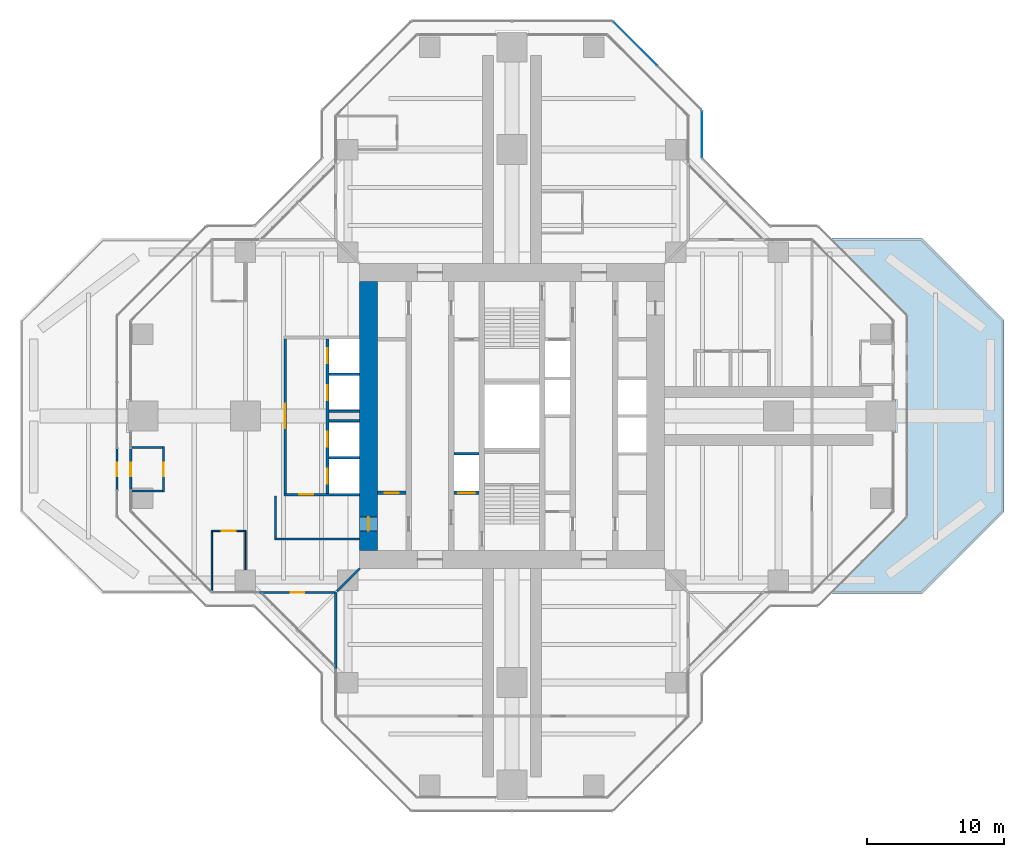
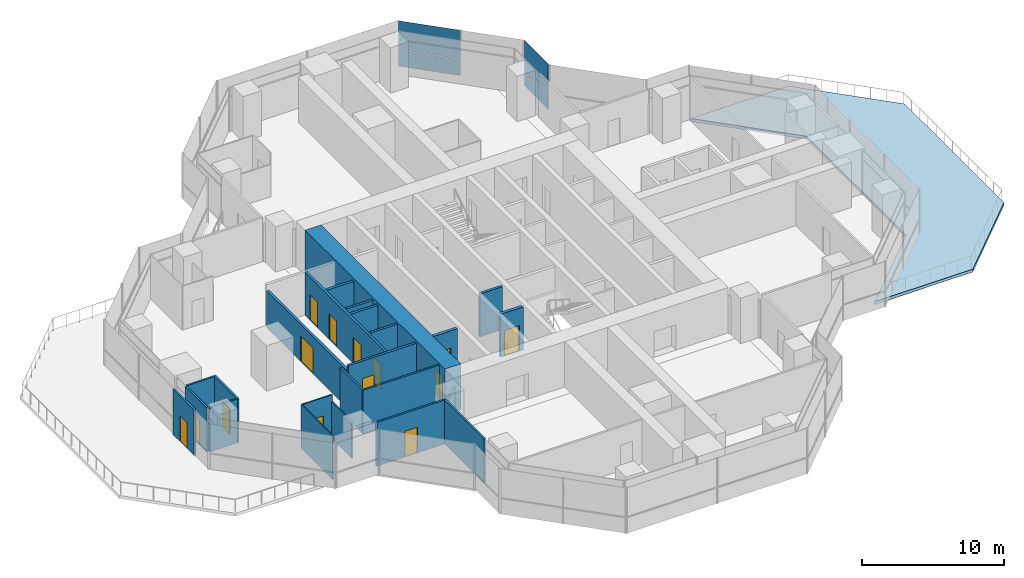
# One storey, part 14 of 19: 24 walls, 14 doors, 4 plates, 1 slab, 14 openings, 2 elements without a shape of their own.
"""IFC4 building model written with IfcOpenShell, lengths in metres."""

from ifc_helpers import new_model, si_unit, direction, frame, frame_2d, origin, origin_2d, place, context, subcontext, project, spatial, polyline, rectangle, outline, extrude, material, layer, layer_set, type_object, element, fill, aggregate, save


model = new_model("IFC4")

# Units and contexts
model_context = context("Model", 3, precision=1e-05, world=origin(), true_north=direction((0.0, 1.0)))
body_context = subcontext(model_context, "Body", "Model", "MODEL_VIEW")
ifc_project = project(units=[si_unit("LENGTHUNIT", "METRE"), si_unit("AREAUNIT", "SQUARE_METRE"), si_unit("VOLUMEUNIT", "CUBIC_METRE"), si_unit("PLANEANGLEUNIT", "RADIAN"), si_unit("MASSUNIT", "GRAM", prefix="KILO")], contexts=[model_context])

# Site, building, storey
site_placement = place(None, origin())
site = spatial("IfcSite", under=ifc_project, at=site_placement, CompositionType="ELEMENT")
building_placement = place(site_placement, origin())
building = spatial("IfcBuilding", under=site, at=building_placement, Name="Mizan Broadcast Tower", CompositionType="ELEMENT")
storey_placement = place(building_placement, frame((0.0, 0.0, 204.89990234375)))
storey = spatial("IfcBuildingStorey", under=building, at=storey_placement, Name="L47", CompositionType="ELEMENT", Elevation=204.89990234375)

# Curtain wall, plates
ifc_material_1 = material(Name="Aluminium framed glazing", Category="aluminium")
curtain_wall_type = type_object("IfcCurtainWallType", Name="OUTER SKIN", PredefinedType="USERDEFINED", material=ifc_material_1)
curtain_wall_1_placement = place(storey_placement, origin())
curtain_wall_1 = element("IfcCurtainWall", 1, at=curtain_wall_1_placement, inside=storey, type_object=curtain_wall_type, Name="Outer skin L47 N side", ObjectType="OUTER SKIN", PredefinedType="USERDEFINED")
ifc_material_2 = material(Name="Laminated clear glass", Category="glass")
ifc_layer_1 = layer(ifc_material_2, 0.02001953125)
ifc_layer_set_1 = layer_set([ifc_layer_1], Name="Laminated clear glass")
plate_type_1 = type_object("IfcPlateType", Name="OUTER SKIN CLEAR GLASS", PredefinedType="CURTAIN_PANEL", material=ifc_layer_set_1)
plate_1_placement = place(storey_placement, frame((13.89990234375, 20.622802734375, 0.0), z_axis=(0.0, 0.0, 1.0), x_axis=(0.0, 1.0, 0.0)))
plate_1 = element("IfcPlate", 2, at=plate_1_placement, type_object=plate_type_1, Name="Outer skin L47 N side panel 1.1", PredefinedType="CURTAIN_PANEL", context=body_context, shape_type="SweptSolid", body=[
    extrude(rectangle(XDim=3.340087890625, YDim=0.02001953125, at=origin_2d()), origin(), (0.0, 0.0, 1.0), 1.3701171875),
])
plate_2_placement = place(storey_placement, frame((13.89990234375, 20.622802734375, 1.43017578125), z_axis=(0.0, 0.0, 1.0), x_axis=(0.0, 1.0, 0.0)))
plate_2 = element("IfcPlate", 3, at=plate_2_placement, type_object=plate_type_1, Name="Outer skin L47 N side panel 1.2", PredefinedType="CURTAIN_PANEL", context=body_context, shape_type="SweptSolid", body=[
    extrude(rectangle(XDim=3.340087890625, YDim=0.02001953125, at=origin_2d()), origin(), (0.0, 0.0, 1.0), 2.469970703125),
])
aggregate(curtain_wall_1, [plate_1, plate_2])

curtain_wall_2_placement = place(storey_placement, origin())
curtain_wall_2 = element("IfcCurtainWall", 4, at=curtain_wall_2_placement, inside=storey, type_object=curtain_wall_type, Name="Outer skin L47 N chamfer", ObjectType="OUTER SKIN", PredefinedType="USERDEFINED")
ifc_material_3 = material(Name="Perforated aluminium, pale anodised", Category="aluminium")
ifc_layer_2 = layer(ifc_material_3, 0.011962890625)
ifc_layer_set_2 = layer_set([ifc_layer_2], Name="Perforated aluminium, pale anodised")
plate_type_2 = type_object("IfcPlateType", Name="OUTER SKIN PERFORATED SCREEN", PredefinedType="USERDEFINED", material=ifc_layer_set_2)
plate_3_placement = place(storey_placement, frame((9.018798828125, 27.254150390625, 0.0), z_axis=(0.0, 0.0, 1.0), x_axis=(-0.707106781187, 0.707106781187, 0.0)))
plate_3 = element("IfcPlate", 5, at=plate_3_placement, type_object=plate_type_2, Name="Outer skin L47 N chamfer panel 2.1", ObjectType="SCREEN", PredefinedType="USERDEFINED", context=body_context, shape_type="SweptSolid", body=[
    extrude(rectangle(XDim=4.495361328125, YDim=0.011962890625, at=origin_2d()), origin(), (0.0, 0.0, 1.0), 1.3701171875),
])
plate_4_placement = place(storey_placement, frame((9.018798828125, 27.254150390625, 1.43017578125), z_axis=(0.0, 0.0, 1.0), x_axis=(-0.707106781187, 0.707106781187, 0.0)))
plate_4 = element("IfcPlate", 6, at=plate_4_placement, type_object=plate_type_2, Name="Outer skin L47 N chamfer panel 2.2", ObjectType="SCREEN", PredefinedType="USERDEFINED", context=body_context, shape_type="SweptSolid", body=[
    extrude(rectangle(XDim=4.495361328125, YDim=0.011962890625, at=origin_2d()), origin(), (0.0, 0.0, 1.0), 2.469970703125),
])
aggregate(curtain_wall_2, [plate_3, plate_4])

# Slab
ifc_material_4 = material(Name="Concrete C32/40", Category="concrete")
ifc_layer_3 = layer(ifc_material_4, 0.25)
ifc_layer_set_3 = layer_set([ifc_layer_3], Name="Concrete C32/40")
slab_type = type_object("IfcSlabType", Name="ROOF SLAB ON DECK 250", PredefinedType="ROOF", material=ifc_layer_set_3)
slab_placement = place(storey_placement, frame((0.0, 0.0, -0.25)))
element("IfcSlab", 7, at=slab_placement, inside=storey, type_object=slab_type, Name="Maintenance roof slab L47 part 1", PredefinedType="ROOF", context=body_context, shape_type="SweptSolid", body=[
    extrude(outline(polyline([(30.0, 13.0), (22.01416015625, 13.0), (28.010009765625, 7.004150390625), (28.010009765625, -7.004150390625), (22.01416015625, -13.0), (30.0, -13.0), (36.0, -7.0), (36.0, 7.0), (30.0, 13.0)])), origin(), (0.0, 0.0, 1.0), 0.25),
])

# Wall, opening, door
ifc_material_5 = material(Name="Concrete C70/85", Category="concrete")
ifc_layer_4 = layer(ifc_material_5, 1.300048828125)
ifc_layer_set_4 = layer_set([ifc_layer_4], Name="Concrete C70/85")
wall_type_1 = type_object("IfcWallType", Name="CORE WALL 1300", PredefinedType="SHEAR", material=ifc_layer_set_4)
wall_1_placement = place(storey_placement, frame((-10.5, 9.85009765625, 0.0), z_axis=(0.0, 0.0, 1.0), x_axis=(0.0, -1.0, 0.0)))
wall_1 = element("IfcWall", 8, at=wall_1_placement, inside=storey, type_object=wall_type_1, Name="Core wall W L47", PredefinedType="SHEAR", context=body_context, shape_type="SweptSolid", body=[
    extrude(rectangle(XDim=19.7001953125, YDim=1.300048828125, at=frame_2d((9.85009765625, 0.0))), origin(), (0.0, 0.0, 1.0), 3.900146484375),
])
opening_1_placement = place(wall_1_placement, frame((17.25, 0.0, 0.0)))
opening_1 = element("IfcOpeningElement", 9, at=opening_1_placement, cuts=wall_1, Name="Opening D10F", PredefinedType="OPENING", context=body_context, shape_type="SweptSolid", body=[
    extrude(rectangle(XDim=1.0, YDim=2.199951171875, at=frame_2d((0.5, 1.10009765625))), frame((0.0, 0.659912109375, 0.0), z_axis=(0.0, -1.0, 0.0), x_axis=(1.0, 0.0, 0.0)), (0.0, 0.0, 1.0), 1.320068359375),
])
ifc_material_6 = material(Name="Steel door leaf in steel frame", Category="steel")
door_type_1 = type_object("IfcDoorType", Name="FIRE DOOR 1000 FD90", OperationType="SINGLE_SWING_LEFT", PredefinedType="DOOR", material=ifc_material_6)
door_1_placement = place(opening_1_placement, origin())
door_1 = element("IfcDoor", 10, at=door_1_placement, inside=storey, type_object=door_type_1, Name="West core passage arm door", OperationType="SINGLE_SWING_RIGHT", OverallHeight=2.199951171875, OverallWidth=1.0, PredefinedType="DOOR", context=body_context, shape_type="SweptSolid", body=[
    extrude(rectangle(XDim=1.0, YDim=2.199951171875, at=frame_2d((0.5, 1.10009765625))), frame((0.0, 0.02490234375, 0.0), z_axis=(0.0, -1.0, 0.0), x_axis=(1.0, 0.0, 0.0)), (0.0, 0.0, 1.0), 0.050048828125),
])
fill(opening_1, door_1)

ifc_material_7 = material(Name="Aluminium framed glazed screen", Category="aluminium")
ifc_layer_5 = layer(ifc_material_7, 0.159912109375)
ifc_layer_set_5 = layer_set([ifc_layer_5], Name="Aluminium framed glazed screen")
wall_type_2 = type_object("IfcWallType", Name="GLAZED SCREEN WALL 160", PredefinedType="SOLIDWALL", material=ifc_layer_set_5)
wall_2_placement = place(storey_placement, frame((-27.89990234375, -2.39990234375, 0.0), z_axis=(0.0, 0.0, 1.0), x_axis=(0.0, -1.0, 0.0)))
wall_2 = element("IfcWall", 11, at=wall_2_placement, inside=storey, type_object=wall_type_2, Name="Roof access screen wall L47 W", PredefinedType="SOLIDWALL", context=body_context, shape_type="SweptSolid", body=[
    extrude(rectangle(XDim=3.0, YDim=0.159912109375, at=frame_2d((1.5, 0.0))), origin(), (0.0, 0.0, 1.0), 3.77001953125),
])
opening_2_placement = place(wall_2_placement, frame((1.0, 0.0, 0.0)))
opening_2 = element("IfcOpeningElement", 12, at=opening_2_placement, cuts=wall_2, Name="Opening RA", PredefinedType="OPENING", context=body_context, shape_type="SweptSolid", body=[
    extrude(rectangle(XDim=1.0, YDim=2.199951171875, at=frame_2d((0.5, 1.10009765625))), frame((0.0, 0.08984375, 0.0), z_axis=(0.0, -1.0, 0.0), x_axis=(1.0, 0.0, 0.0)), (0.0, 0.0, 1.0), 0.179931640625),
])
ifc_material_8 = material(Name="Steel door", Category="steel")
door_type_2 = type_object("IfcDoorType", Name="ROOF ACCESS DOOR 1000", OperationType="SINGLE_SWING_LEFT", PredefinedType="DOOR", material=ifc_material_8)
door_2_placement = place(opening_2_placement, origin())
door_2 = element("IfcDoor", 13, at=door_2_placement, inside=storey, type_object=door_type_2, Name="Roof access door L47 W", OperationType="SINGLE_SWING_LEFT", OverallHeight=2.199951171875, OverallWidth=1.0, PredefinedType="DOOR", context=body_context, shape_type="SweptSolid", body=[
    extrude(rectangle(XDim=1.0, YDim=2.199951171875, at=frame_2d((0.5, 1.10009765625))), frame((0.0, 0.02490234375, 0.0), z_axis=(0.0, -1.0, 0.0), x_axis=(1.0, 0.0, 0.0)), (0.0, 0.0, 1.0), 0.050048828125),
])
fill(opening_2, door_2)

wall_3_placement = place(storey_placement, frame((-18.5, -12.89990234375, 0.0), z_axis=(0.0, 0.0, 1.0), x_axis=(1.0, 0.0, 0.0)))
wall_3 = element("IfcWall", 14, at=wall_3_placement, inside=storey, type_object=wall_type_2, Name="Winter garden screen L47 W", PredefinedType="SOLIDWALL", context=body_context, shape_type="SweptSolid", body=[
    extrude(rectangle(XDim=5.60009765625, YDim=0.159912109375, at=frame_2d((2.800048828125, 0.0))), origin(), (0.0, 0.0, 1.0), 3.77001953125),
])
opening_3_placement = place(wall_3_placement, frame((2.300048828125, 0.0, 0.0)))
opening_3 = element("IfcOpeningElement", 15, at=opening_3_placement, cuts=wall_3, Name="Opening WGD", PredefinedType="OPENING", context=body_context, shape_type="SweptSolid", body=[
    extrude(rectangle(XDim=1.0, YDim=2.199951171875, at=frame_2d((0.5, 1.10009765625))), frame((0.0, 0.08984375, 0.0), z_axis=(0.0, -1.0, 0.0), x_axis=(1.0, 0.0, 0.0)), (0.0, 0.0, 1.0), 0.179931640625),
])
ifc_material_9 = material(Name="Aluminium framed glazed door", Category="aluminium")
door_type_3 = type_object("IfcDoorType", Name="WINTER GARDEN DOOR 1000 GLAZED", OperationType="SINGLE_SWING_LEFT", PredefinedType="DOOR", material=ifc_material_9)
door_3_placement = place(opening_3_placement, origin())
door_3 = element("IfcDoor", 16, at=door_3_placement, inside=storey, type_object=door_type_3, Name="Winter garden door L47 W", OperationType="SINGLE_SWING_RIGHT", OverallHeight=2.199951171875, OverallWidth=1.0, PredefinedType="DOOR", context=body_context, shape_type="SweptSolid", body=[
    extrude(rectangle(XDim=1.0, YDim=2.199951171875, at=frame_2d((0.5, 1.10009765625))), frame((0.0, 0.02490234375, 0.0), z_axis=(0.0, -1.0, 0.0), x_axis=(1.0, 0.0, 0.0)), (0.0, 0.0, 1.0), 0.050048828125),
])
fill(opening_3, door_3)

# Walls
wall_4_placement = place(storey_placement, frame((-12.89990234375, -12.89990234375, 0.0), z_axis=(0.0, 0.0, 1.0), x_axis=(0.0, -1.0, 0.0)))
element("IfcWall", 17, at=wall_4_placement, inside=storey, type_object=wall_type_2, Name="Winter garden screen L47 S", PredefinedType="SOLIDWALL", context=body_context, shape_type="SweptSolid", body=[
    extrude(rectangle(XDim=5.60009765625, YDim=0.159912109375, at=frame_2d((2.800048828125, 0.0))), origin(), (0.0, 0.0, 1.0), 3.77001953125),
])
ifc_material_10 = material(Name="Concrete blockwork", Category="masonry")
ifc_layer_6 = layer(ifc_material_10, 0.199951171875)
ifc_layer_set_6 = layer_set([ifc_layer_6], Name="Concrete blockwork")
wall_type_3 = type_object("IfcWallType", Name="LIFT SHAFT WALL 200", PredefinedType="SOLIDWALL", material=ifc_layer_set_6)
wall_5_placement = place(storey_placement, frame((-4.25, -2.75, 0.0), z_axis=(0.0, 0.0, 1.0), x_axis=(1.0, 0.0, 0.0)))
element("IfcWall", 18, at=wall_5_placement, inside=storey, type_object=wall_type_3, Name="Lift shaft wall CORE/SW2-1", PredefinedType="SOLIDWALL", context=body_context, shape_type="SweptSolid", body=[
    extrude(rectangle(XDim=1.85009765625, YDim=0.199951171875, at=frame_2d((0.925048828125, 0.0))), origin(), (0.0, 0.0, 1.0), 3.7001953125),
])

# Wall, openings, doors
wall_6_placement = place(storey_placement, frame((-13.5, 5.64990234375, 0.0), z_axis=(0.0, 0.0, 1.0), x_axis=(0.0, -1.0, 0.0)))
wall_6 = element("IfcWall", 19, at=wall_6_placement, inside=storey, type_object=wall_type_3, Name="Lift shaft wall LC/F", PredefinedType="SOLIDWALL", context=body_context, shape_type="SweptSolid", body=[
    extrude(rectangle(XDim=11.2998046875, YDim=0.199951171875, at=frame_2d((5.64990234375, 0.0))), origin(), (0.0, 0.0, 1.0), 3.7001953125),
])
opening_4_placement = place(wall_6_placement, frame((0.699951171875, 0.0, 0.0)))
opening_4 = element("IfcOpeningElement", 20, at=opening_4_placement, cuts=wall_6, Name="Opening LD", PredefinedType="OPENING", context=body_context, shape_type="SweptSolid", body=[
    extrude(rectangle(XDim=1.10009765625, YDim=2.199951171875, at=frame_2d((0.550048828125, 1.10009765625))), frame((0.0, 0.10986328125, 0.0), z_axis=(0.0, -1.0, 0.0), x_axis=(1.0, 0.0, 0.0)), (0.0, 0.0, 1.0), 0.219970703125),
])
opening_5_placement = place(wall_6_placement, frame((3.39990234375, 0.0, 0.0)))
opening_5 = element("IfcOpeningElement", 21, at=opening_5_placement, cuts=wall_6, Name="Opening LD", PredefinedType="OPENING", context=body_context, shape_type="SweptSolid", body=[
    extrude(rectangle(XDim=1.10009765625, YDim=2.199951171875, at=frame_2d((0.550048828125, 1.10009765625))), frame((0.0, 0.10986328125, 0.0), z_axis=(0.0, -1.0, 0.0), x_axis=(1.0, 0.0, 0.0)), (0.0, 0.0, 1.0), 0.219970703125),
])
opening_6_placement = place(wall_6_placement, frame((6.800048828125, 0.0, 0.0)))
opening_6 = element("IfcOpeningElement", 22, at=opening_6_placement, cuts=wall_6, Name="Opening LD", PredefinedType="OPENING", context=body_context, shape_type="SweptSolid", body=[
    extrude(rectangle(XDim=1.10009765625, YDim=2.199951171875, at=frame_2d((0.550048828125, 1.10009765625))), frame((0.0, 0.10986328125, 0.0), z_axis=(0.0, -1.0, 0.0), x_axis=(1.0, 0.0, 0.0)), (0.0, 0.0, 1.0), 0.219970703125),
])
opening_7_placement = place(wall_6_placement, frame((9.5, 0.0, 0.0)))
opening_7 = element("IfcOpeningElement", 23, at=opening_7_placement, cuts=wall_6, Name="Opening LD", PredefinedType="OPENING", context=body_context, shape_type="SweptSolid", body=[
    extrude(rectangle(XDim=1.10009765625, YDim=2.199951171875, at=frame_2d((0.550048828125, 1.10009765625))), frame((0.0, 0.10986328125, 0.0), z_axis=(0.0, -1.0, 0.0), x_axis=(1.0, 0.0, 0.0)), (0.0, 0.0, 1.0), 0.219970703125),
])
ifc_material_11 = material(Name="Steel door leaf in steel frame", Category="steel")
door_type_4 = type_object("IfcDoorType", Name="LIFT LANDING DOOR 1100", OperationType="SLIDING_TO_LEFT", PredefinedType="DOOR", material=ifc_material_11)
door_4_placement = place(opening_4_placement, origin())
door_4 = element("IfcDoor", 24, at=door_4_placement, inside=storey, type_object=door_type_4, Name="Landing door LC1", OperationType="SLIDING_TO_LEFT", OverallHeight=2.199951171875, OverallWidth=1.10009765625, PredefinedType="DOOR", context=body_context, shape_type="SweptSolid", body=[
    extrude(rectangle(XDim=1.10009765625, YDim=2.199951171875, at=frame_2d((0.550048828125, 1.10009765625))), frame((0.0, 0.02490234375, 0.0), z_axis=(0.0, -1.0, 0.0), x_axis=(1.0, 0.0, 0.0)), (0.0, 0.0, 1.0), 0.050048828125),
])
fill(opening_4, door_4)
door_5_placement = place(opening_5_placement, origin())
door_5 = element("IfcDoor", 25, at=door_5_placement, inside=storey, type_object=door_type_4, Name="Landing door LC2", OperationType="SLIDING_TO_LEFT", OverallHeight=2.199951171875, OverallWidth=1.10009765625, PredefinedType="DOOR", context=body_context, shape_type="SweptSolid", body=[
    extrude(rectangle(XDim=1.10009765625, YDim=2.199951171875, at=frame_2d((0.550048828125, 1.10009765625))), frame((0.0, 0.02490234375, 0.0), z_axis=(0.0, -1.0, 0.0), x_axis=(1.0, 0.0, 0.0)), (0.0, 0.0, 1.0), 0.050048828125),
])
fill(opening_5, door_5)
door_6_placement = place(opening_6_placement, origin())
door_6 = element("IfcDoor", 26, at=door_6_placement, inside=storey, type_object=door_type_4, Name="Landing door LC3", OperationType="SLIDING_TO_LEFT", OverallHeight=2.199951171875, OverallWidth=1.10009765625, PredefinedType="DOOR", context=body_context, shape_type="SweptSolid", body=[
    extrude(rectangle(XDim=1.10009765625, YDim=2.199951171875, at=frame_2d((0.550048828125, 1.10009765625))), frame((0.0, 0.02490234375, 0.0), z_axis=(0.0, -1.0, 0.0), x_axis=(1.0, 0.0, 0.0)), (0.0, 0.0, 1.0), 0.050048828125),
])
fill(opening_6, door_6)
door_7_placement = place(opening_7_placement, origin())
door_7 = element("IfcDoor", 27, at=door_7_placement, inside=storey, type_object=door_type_4, Name="Landing door LC4", OperationType="SLIDING_TO_LEFT", OverallHeight=2.199951171875, OverallWidth=1.10009765625, PredefinedType="DOOR", context=body_context, shape_type="SweptSolid", body=[
    extrude(rectangle(XDim=1.10009765625, YDim=2.199951171875, at=frame_2d((0.550048828125, 1.10009765625))), frame((0.0, 0.02490234375, 0.0), z_axis=(0.0, -1.0, 0.0), x_axis=(1.0, 0.0, 0.0)), (0.0, 0.0, 1.0), 0.050048828125),
])
fill(opening_7, door_7)

# Wall, opening, door
wall_7_placement = place(storey_placement, frame((-11.14990234375, -5.75, 0.0), z_axis=(0.0, 0.0, 1.0), x_axis=(-1.0, 0.0, 0.0)))
wall_7 = element("IfcWall", 28, at=wall_7_placement, inside=storey, type_object=wall_type_3, Name="Lift shaft wall LC/S2", PredefinedType="SOLIDWALL", context=body_context, shape_type="SweptSolid", body=[
    extrude(rectangle(XDim=5.550048828125, YDim=0.199951171875, at=frame_2d((2.77490234375, 0.0))), origin(), (0.0, 0.0, 1.0), 3.7001953125),
])
opening_8_placement = place(wall_7_placement, frame((3.39990234375, 0.0, 0.0)))
opening_8 = element("IfcOpeningElement", 29, at=opening_8_placement, cuts=wall_7, Name="Opening D10F", PredefinedType="OPENING", context=body_context, shape_type="SweptSolid", body=[
    extrude(rectangle(XDim=1.0, YDim=2.199951171875, at=frame_2d((0.5, 1.10009765625))), frame((0.0, 0.10986328125, 0.0), z_axis=(0.0, -1.0, 0.0), x_axis=(1.0, 0.0, 0.0)), (0.0, 0.0, 1.0), 0.219970703125),
])
door_8_placement = place(opening_8_placement, origin())
door_8 = element("IfcDoor", 30, at=door_8_placement, inside=storey, type_object=door_type_1, Name="High-rise lobby corridor door", OperationType="SINGLE_SWING_RIGHT", OverallHeight=2.199951171875, OverallWidth=1.0, PredefinedType="DOOR", context=body_context, shape_type="SweptSolid", body=[
    extrude(rectangle(XDim=1.0, YDim=2.199951171875, at=frame_2d((0.5, 1.10009765625))), frame((0.0, 0.02490234375, 0.0), z_axis=(0.0, -1.0, 0.0), x_axis=(1.0, 0.0, 0.0)), (0.0, 0.0, 1.0), 0.050048828125),
])
fill(opening_8, door_8)

# Walls
for number, where, z_axis, x_axis, name in (
    (31, (-11.14990234375, 3.050048828125, 0.0), (0.0, 0.0, 1.0), (-1.0, 0.0, 0.0), "Lift shaft wall LC/SP1"),
    (32, (-11.14990234375, 0.35009765625, 0.0), (0.0, 0.0, 1.0), (-1.0, 0.0, 0.0), "Lift shaft wall LC/SP2"),
    (33, (-11.14990234375, -0.35009765625, 0.0), (0.0, 0.0, 1.0), (-1.0, 0.0, 0.0), "Lift shaft wall LC/SP3"),
    (34, (-11.14990234375, -3.050048828125, 0.0), (0.0, 0.0, 1.0), (-1.0, 0.0, 0.0), "Lift shaft wall LC/SP4"),
):
    element("IfcWall", number, at=place(storey_placement, frame(where, z_axis=z_axis, x_axis=x_axis)), inside=storey, type_object=wall_type_3, Name=name, PredefinedType="SOLIDWALL", context=body_context, shape_type="SweptSolid", body=[
        extrude(rectangle(XDim=2.25, YDim=0.199951171875, at=frame_2d((1.125, 0.0))), origin(), (0.0, 0.0, 1.0), 3.7001953125),
    ])

# Wall, opening, door
ifc_material_12 = material(Name="Concrete blockwork", Category="masonry")
ifc_layer_7 = layer(ifc_material_12, 0.25)
ifc_layer_set_7 = layer_set([ifc_layer_7], Name="Concrete blockwork")
wall_type_4 = type_object("IfcWallType", Name="LOBBY ENCLOSURE WALL 250", PredefinedType="SOLIDWALL", material=ifc_layer_set_7)
wall_8_placement = place(storey_placement, frame((-9.85009765625, -5.625, 0.0), z_axis=(0.0, 0.0, 1.0), x_axis=(1.0, 0.0, 0.0)))
wall_8 = element("IfcWall", 35, at=wall_8_placement, inside=storey, type_object=wall_type_4, Name="Lobby enclosure wall CORE/BW1S", PredefinedType="SOLIDWALL", context=body_context, shape_type="SweptSolid", body=[
    extrude(rectangle(XDim=2.10009765625, YDim=0.25, at=frame_2d((1.050048828125, 0.0))), origin(), (0.0, 0.0, 1.0), 3.7001953125),
])
opening_9_placement = place(wall_8_placement, frame((0.550048828125, 0.0, 0.0)))
opening_9 = element("IfcOpeningElement", 36, at=opening_9_placement, cuts=wall_8, Name="Opening D10F", PredefinedType="OPENING", context=body_context, shape_type="SweptSolid", body=[
    extrude(rectangle(XDim=1.0, YDim=2.199951171875, at=frame_2d((0.5, 1.10009765625))), frame((0.0, 0.135009765625, 0.0), z_axis=(0.0, -1.0, 0.0), x_axis=(1.0, 0.0, 0.0)), (0.0, 0.0, 1.0), 0.27001953125),
])
door_9_placement = place(opening_9_placement, origin())
door_9 = element("IfcDoor", 37, at=door_9_placement, inside=storey, type_object=door_type_1, Name="Comms equipment room door", OperationType="SINGLE_SWING_RIGHT", OverallHeight=2.199951171875, OverallWidth=1.0, PredefinedType="DOOR", context=body_context, shape_type="SweptSolid", body=[
    extrude(rectangle(XDim=1.0, YDim=2.199951171875, at=frame_2d((0.5, 1.10009765625))), frame((0.0, 0.02490234375, 0.0), z_axis=(0.0, -1.0, 0.0), x_axis=(1.0, 0.0, 0.0)), (0.0, 0.0, 1.0), 0.050048828125),
])
fill(opening_9, door_9)

wall_9_placement = place(storey_placement, frame((-4.25, -5.625, 0.0), z_axis=(0.0, 0.0, 1.0), x_axis=(1.0, 0.0, 0.0)))
wall_9 = element("IfcWall", 38, at=wall_9_placement, inside=storey, type_object=wall_type_4, Name="Lobby enclosure wall CORE/BW2S", PredefinedType="SOLIDWALL", context=body_context, shape_type="SweptSolid", body=[
    extrude(rectangle(XDim=1.85009765625, YDim=0.25, at=frame_2d((0.925048828125, 0.0))), origin(), (0.0, 0.0, 1.0), 3.7001953125),
])
opening_10_placement = place(wall_9_placement, frame((0.324951171875, 0.0, 0.0)))
opening_10 = element("IfcOpeningElement", 39, at=opening_10_placement, cuts=wall_9, Name="Opening LDF", PredefinedType="OPENING", context=body_context, shape_type="SweptSolid", body=[
    extrude(rectangle(XDim=1.199951171875, YDim=2.199951171875, at=frame_2d((0.60009765625, 1.10009765625))), frame((0.0, 0.135009765625, 0.0), z_axis=(0.0, -1.0, 0.0), x_axis=(1.0, 0.0, 0.0)), (0.0, 0.0, 1.0), 0.27001953125),
])
ifc_material_13 = material(Name="Steel door leaf in steel frame", Category="steel")
door_type_5 = type_object("IfcDoorType", Name="FIREFIGHTING LIFT LANDING DOOR 1200", OperationType="SLIDING_TO_LEFT", PredefinedType="DOOR", material=ifc_material_13)
door_10_placement = place(opening_10_placement, origin())
door_10 = element("IfcDoor", 40, at=door_10_placement, inside=storey, type_object=door_type_5, Name="Landing door FF1", OperationType="SLIDING_TO_LEFT", OverallHeight=2.199951171875, OverallWidth=1.199951171875, PredefinedType="DOOR", context=body_context, shape_type="SweptSolid", body=[
    extrude(rectangle(XDim=1.199951171875, YDim=2.199951171875, at=frame_2d((0.60009765625, 1.10009765625))), frame((0.0, 0.02490234375, 0.0), z_axis=(0.0, -1.0, 0.0), x_axis=(1.0, 0.0, 0.0)), (0.0, 0.0, 1.0), 0.050048828125),
])
fill(opening_10, door_10)

wall_10_placement = place(storey_placement, frame((-16.60009765625, 5.64990234375, 0.0), z_axis=(0.0, 0.0, 1.0), x_axis=(0.0, -1.0, 0.0)))
wall_10 = element("IfcWall", 41, at=wall_10_placement, inside=storey, type_object=wall_type_4, Name="Lobby enclosure wall LC/LF", PredefinedType="SOLIDWALL", context=body_context, shape_type="SweptSolid", body=[
    extrude(rectangle(XDim=11.2998046875, YDim=0.199951171875, at=frame_2d((5.64990234375, 0.0))), origin(), (0.0, 0.0, 1.0), 3.18017578125),
])
opening_11_placement = place(wall_10_placement, frame((4.75, 0.0, 0.0)))
opening_11 = element("IfcOpeningElement", 42, at=opening_11_placement, cuts=wall_10, Name="Opening D18F", PredefinedType="OPENING", context=body_context, shape_type="SweptSolid", body=[
    extrude(rectangle(XDim=1.800048828125, YDim=2.199951171875, at=frame_2d((0.89990234375, 1.10009765625))), frame((0.0, 0.10986328125, 0.0), z_axis=(0.0, -1.0, 0.0), x_axis=(1.0, 0.0, 0.0)), (0.0, 0.0, 1.0), 0.219970703125),
])
ifc_material_14 = material(Name="Steel door leaf in steel frame", Category="steel")
door_type_6 = type_object("IfcDoorType", Name="LOBBY DOUBLE DOOR 1800 FD90", OperationType="DOUBLE_DOOR_DOUBLE_SWING", PredefinedType="DOOR", material=ifc_material_14)
door_11_placement = place(opening_11_placement, origin())
door_11 = element("IfcDoor", 43, at=door_11_placement, inside=storey, type_object=door_type_6, Name="High-rise lift lobby door", OperationType="DOUBLE_DOOR_DOUBLE_SWING", OverallHeight=2.199951171875, OverallWidth=1.800048828125, PredefinedType="DOOR", context=body_context, shape_type="SweptSolid", body=[
    extrude(rectangle(XDim=1.800048828125, YDim=2.199951171875, at=frame_2d((0.89990234375, 1.10009765625))), frame((0.0, 0.02490234375, 0.0), z_axis=(0.0, -1.0, 0.0), x_axis=(1.0, 0.0, 0.0)), (0.0, 0.0, 1.0), 0.050048828125),
])
fill(opening_11, door_11)

ifc_material_15 = material(Name="Aluminium framed glazed screen", Category="aluminium")
ifc_layer_8 = layer(ifc_material_15, 0.159912109375)
ifc_layer_set_8 = layer_set([ifc_layer_8], Name="Aluminium framed glazed screen")
wall_type_5 = type_object("IfcWallType", Name="OUTER SKIN DOOR SCREEN 160", PredefinedType="SOLIDWALL", material=ifc_layer_set_8)
wall_11_placement = place(storey_placement, frame((-28.89990234375, -5.39990234375, 0.0), z_axis=(0.0, 0.0, 1.0), x_axis=(0.0, 1.0, 0.0)))
wall_11 = element("IfcWall", 44, at=wall_11_placement, inside=storey, type_object=wall_type_5, Name="Outer skin roof access screen L47 W", PredefinedType="SOLIDWALL", context=body_context, shape_type="SweptSolid", body=[
    extrude(rectangle(XDim=3.0, YDim=0.159912109375, at=frame_2d((1.5, 0.0))), origin(), (0.0, 0.0, 1.0), 3.900146484375),
])
opening_12_placement = place(wall_11_placement, frame((1.0, 0.0, 0.0)))
opening_12 = element("IfcOpeningElement", 45, at=opening_12_placement, cuts=wall_11, Name="Opening RA", PredefinedType="OPENING", context=body_context, shape_type="SweptSolid", body=[
    extrude(rectangle(XDim=1.0, YDim=2.199951171875, at=frame_2d((0.5, 1.10009765625))), frame((0.0, 0.08984375, 0.0), z_axis=(0.0, -1.0, 0.0), x_axis=(1.0, 0.0, 0.0)), (0.0, 0.0, 1.0), 0.179931640625),
])
door_12_placement = place(opening_12_placement, origin())
door_12 = element("IfcDoor", 46, at=door_12_placement, inside=storey, type_object=door_type_2, Name="Roof access door L47 W outer skin", OperationType="SINGLE_SWING_RIGHT", OverallHeight=2.199951171875, OverallWidth=1.0, PredefinedType="DOOR", context=body_context, shape_type="SweptSolid", body=[
    extrude(rectangle(XDim=1.0, YDim=2.199951171875, at=frame_2d((0.5, 1.10009765625))), frame((0.0, 0.02490234375, 0.0), z_axis=(0.0, -1.0, 0.0), x_axis=(1.0, 0.0, 0.0)), (0.0, 0.0, 1.0), 0.050048828125),
])
fill(opening_12, door_12)

ifc_material_16 = material(Name="Gypsum board on steel studs", Category="steel")
ifc_layer_9 = layer(ifc_material_16, 0.14990234375)
ifc_layer_set_9 = layer_set([ifc_layer_9], Name="Gypsum board on steel studs")
wall_type_6 = type_object("IfcWallType", Name="PARTITION 150", PredefinedType="PARTITIONING", material=ifc_layer_set_9)
wall_12_placement = place(storey_placement, frame((-25.4951171875, -2.22509765625, 0.0), z_axis=(0.0, 0.0, 1.0), x_axis=(0.0, -1.0, 0.0)))
wall_12 = element("IfcWall", 47, at=wall_12_placement, inside=storey, type_object=wall_type_6, Name="Partition PT/WFMU", PredefinedType="PARTITIONING", context=body_context, shape_type="SweptSolid", body=[
    extrude(rectangle(XDim=3.349853515625, YDim=0.14990234375, at=frame_2d((1.6748046875, 0.0))), origin(), (0.0, 0.0, 1.0), 3.77001953125),
])
opening_13_placement = place(wall_12_placement, frame((1.175048828125, 0.0, 0.0)))
opening_13 = element("IfcOpeningElement", 48, at=opening_13_placement, cuts=wall_12, Name="Opening D10O", PredefinedType="OPENING", context=body_context, shape_type="SweptSolid", body=[
    extrude(rectangle(XDim=1.0, YDim=2.199951171875, at=frame_2d((0.5, 1.10009765625))), frame((0.0, 0.0849609375, 0.0), z_axis=(0.0, -1.0, 0.0), x_axis=(1.0, 0.0, 0.0)), (0.0, 0.0, 1.0), 0.169921875),
])
ifc_material_17 = material(Name="Timber door leaf in aluminium frame", Category="wood")
door_type_7 = type_object("IfcDoorType", Name="OFFICE DOOR 1000 GLAZED", OperationType="SINGLE_SWING_LEFT", PredefinedType="DOOR", material=ifc_material_17)
door_13_placement = place(opening_13_placement, origin())
door_13 = element("IfcDoor", 49, at=door_13_placement, inside=storey, type_object=door_type_7, Name="Facade maintenance store W door", OperationType="SINGLE_SWING_LEFT", OverallHeight=2.199951171875, OverallWidth=1.0, PredefinedType="DOOR", context=body_context, shape_type="SweptSolid", body=[
    extrude(rectangle(XDim=1.0, YDim=2.199951171875, at=frame_2d((0.5, 1.10009765625))), frame((0.0, 0.02490234375, 0.0), z_axis=(0.0, -1.0, 0.0), x_axis=(1.0, 0.0, 0.0)), (0.0, 0.0, 1.0), 0.050048828125),
])
fill(opening_13, door_13)

# Walls
for number, where, z_axis, x_axis, name in (
    (50, (-25.570068359375, -2.300048828125, 0.0), (0.0, 0.0, 1.0), (-1.0, 0.0, 0.0), "Partition PT/WFMN"),
    (51, (-25.570068359375, -5.5, 0.0), (0.0, 0.0, 1.0), (-1.0, 0.0, 0.0), "Partition PT/WFMP"),
):
    element("IfcWall", number, at=place(storey_placement, frame(where, z_axis=z_axis, x_axis=x_axis)), inside=storey, type_object=wall_type_6, Name=name, PredefinedType="PARTITIONING", context=body_context, shape_type="SweptSolid", body=[
        extrude(rectangle(XDim=2.25, YDim=0.14990234375, at=frame_2d((1.125, 0.0))), origin(), (0.0, 0.0, 1.0), 3.77001953125),
    ])
wall_13_placement = place(storey_placement, frame((-11.14990234375, -11.14990234375, 0.0), z_axis=(0.0, 0.0, 1.0), x_axis=(-0.707106781187, -0.707106781187, 0.0)))
element("IfcWall", 52, at=wall_13_placement, inside=storey, type_object=wall_type_6, Name="Partition PT/DGWS", PredefinedType="PARTITIONING", context=body_context, shape_type="SweptSolid", body=[
    extrude(rectangle(XDim=2.362060546875, YDim=0.14990234375, at=frame_2d((1.18115234375, 0.0))), origin(), (0.0, 0.0, 1.0), 3.22021484375),
])
wall_14_placement = place(storey_placement, frame((-11.14990234375, -9.0, 0.0), z_axis=(0.0, 0.0, 1.0), x_axis=(-1.0, 0.0, 0.0)))
element("IfcWall", 53, at=wall_14_placement, inside=storey, type_object=wall_type_6, Name="Partition PT/LCC1", PredefinedType="PARTITIONING", context=body_context, shape_type="SweptSolid", body=[
    extrude(rectangle(XDim=6.22509765625, YDim=0.14990234375, at=frame_2d((3.112548828125, 0.0))), origin(), (0.0, 0.0, 1.0), 3.77001953125),
])
wall_15_placement = place(storey_placement, frame((-17.300048828125, -5.85009765625, 0.0), z_axis=(0.0, 0.0, 1.0), x_axis=(0.0, -1.0, 0.0)))
element("IfcWall", 54, at=wall_15_placement, inside=storey, type_object=wall_type_6, Name="Partition PT/LCC2", PredefinedType="PARTITIONING", context=body_context, shape_type="SweptSolid", body=[
    extrude(rectangle(XDim=3.074951171875, YDim=0.14990234375, at=frame_2d((1.53759765625, 0.0))), origin(), (0.0, 0.0, 1.0), 3.77001953125),
])

# Wall, opening, door
ifc_material_18 = material(Name="Glazed aluminium partition on aluminium track", Category="aluminium")
ifc_layer_10 = layer(ifc_material_18, 0.10009765625)
ifc_layer_set_10 = layer_set([ifc_layer_10], Name="Glazed aluminium partition on aluminium track")
wall_type_7 = type_object("IfcWallType", Name="PARTITION GLAZED OFFICE FRONT 100", PredefinedType="PARTITIONING", material=ifc_layer_set_10)
wall_16_placement = place(storey_placement, frame((-19.5, -8.39990234375, 0.0), z_axis=(0.0, 0.0, 1.0), x_axis=(-1.0, 0.0, 0.0)))
wall_16 = element("IfcWall", 55, at=wall_16_placement, inside=storey, type_object=wall_type_7, Name="Glazed office front PT/WCP0", PredefinedType="PARTITIONING", context=body_context, shape_type="SweptSolid", body=[
    extrude(rectangle(XDim=2.458984375, YDim=0.10009765625, at=frame_2d((1.2294921875, 0.0))), origin(), (0.0, 0.0, 1.0), 3.77001953125),
])
opening_14_placement = place(wall_16_placement, frame((0.7294921875, 0.0, 0.0)))
opening_14 = element("IfcOpeningElement", 56, at=opening_14_placement, cuts=wall_16, Name="Opening D10O", PredefinedType="OPENING", context=body_context, shape_type="SweptSolid", body=[
    extrude(rectangle(XDim=1.0, YDim=2.199951171875, at=frame_2d((0.5, 1.10009765625))), frame((0.0, 0.06005859375, 0.0), z_axis=(0.0, -1.0, 0.0), x_axis=(1.0, 0.0, 0.0)), (0.0, 0.0, 1.0), 0.1201171875),
])
door_14_placement = place(opening_14_placement, origin())
door_14 = element("IfcDoor", 57, at=door_14_placement, inside=storey, type_object=door_type_7, Name="Office door", OperationType="SINGLE_SWING_LEFT", OverallHeight=2.199951171875, OverallWidth=1.0, PredefinedType="DOOR", context=body_context, shape_type="SweptSolid", body=[
    extrude(rectangle(XDim=1.0, YDim=2.199951171875, at=frame_2d((0.5, 1.10009765625))), frame((0.0, 0.02490234375, 0.0), z_axis=(0.0, -1.0, 0.0), x_axis=(1.0, 0.0, 0.0)), (0.0, 0.0, 1.0), 0.050048828125),
])
fill(opening_14, door_14)

# Walls
wall_17_placement = place(storey_placement, frame((-19.5, -8.39990234375, 0.0), z_axis=(0.0, 0.0, 1.0), x_axis=(0.0, -1.0, 0.0)))
element("IfcWall", 58, at=wall_17_placement, inside=storey, type_object=wall_type_7, Name="Glazed office front PT/WQP1950", PredefinedType="PARTITIONING", context=body_context, shape_type="SweptSolid", body=[
    extrude(rectangle(XDim=2.85009765625, YDim=0.10009765625, at=frame_2d((1.425048828125, 0.0))), origin(), (0.0, 0.0, 1.0), 3.18017578125),
])
wall_18_placement = place(storey_placement, frame((-21.958984375, -8.39990234375, 0.0), z_axis=(0.0, 0.0, 1.0), x_axis=(0.0, -1.0, 0.0)))
element("IfcWall", 59, at=wall_18_placement, inside=storey, type_object=wall_type_7, Name="Glazed office front PT/WQP2196", PredefinedType="PARTITIONING", context=body_context, shape_type="SweptSolid", body=[
    extrude(rectangle(XDim=4.420166015625, YDim=0.10009765625, at=frame_2d((2.2099609375, 0.0))), origin(), (0.0, 0.0, 1.0), 3.77001953125),
])

save(model, "model.ifc")
